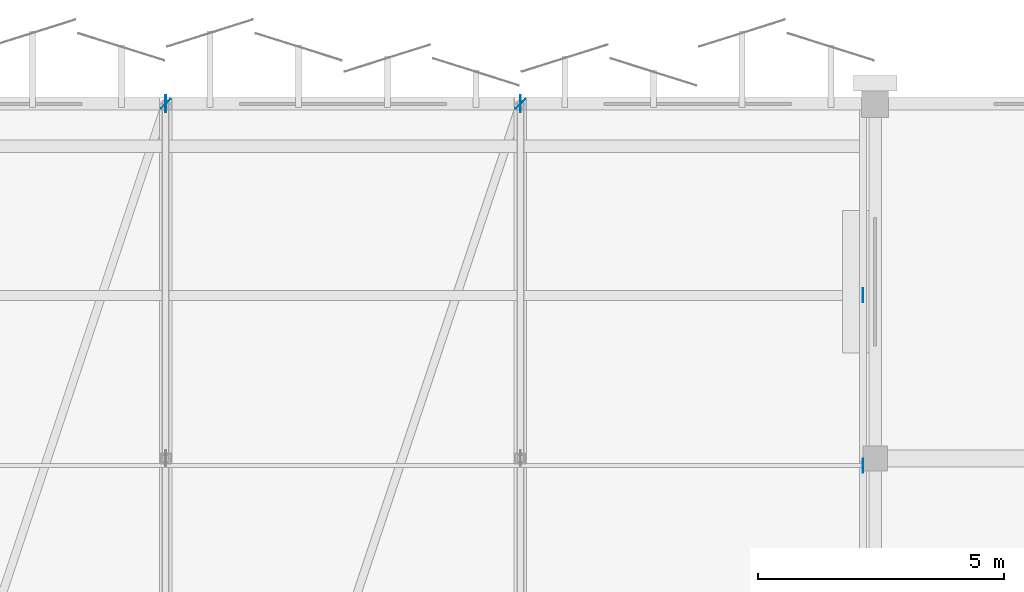
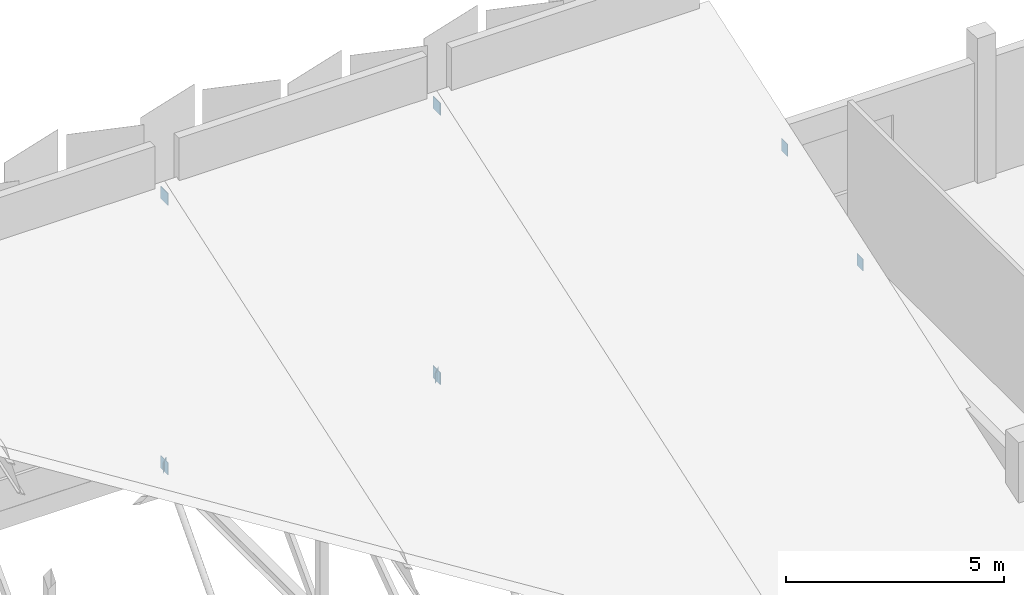
# One storey, part 38 of 59: 8 plates.
"""IFC4 building model written with IfcOpenShell, lengths in metres."""

from ifc_helpers import new_model, si_unit, direction, frame, origin, origin_2d, place, context, subcontext, project, spatial, rectangle, extrude, material, layer, layer_set, type_object, element, save


model = new_model("IFC4")

# Units and contexts
model_context = context("Model", 3, precision=1e-05, world=origin(), true_north=direction((0.0, 1.0)))
body_context = subcontext(model_context, "Body", "Model", "MODEL_VIEW")
ifc_project = project(units=[si_unit("LENGTHUNIT", "METRE"), si_unit("AREAUNIT", "SQUARE_METRE"), si_unit("VOLUMEUNIT", "CUBIC_METRE"), si_unit("PLANEANGLEUNIT", "RADIAN"), si_unit("MASSUNIT", "GRAM", prefix="KILO")], contexts=[model_context])

# Site, building, storey
site_placement = place(None, origin())
site = spatial("IfcSite", under=ifc_project, at=site_placement, CompositionType="ELEMENT")
building_placement = place(site_placement, origin())
building = spatial("IfcBuilding", under=site, at=building_placement, Name="Kangsadwip Square Police Headquarters", CompositionType="ELEMENT")
storey_placement = place(building_placement, frame((0.0, 0.0, 21.60009765625)))
storey = spatial("IfcBuildingStorey", under=building, at=storey_placement, Name="L05", CompositionType="ELEMENT", Elevation=21.60009765625)

# Plates
ifc_material_1 = material(Name="Structural steel IS 2062 E350 (Grade 350, 350 MPa)", Category="steel")
ifc_layer_1 = layer(ifc_material_1, 0.011962890625)
ifc_layer_set_1 = layer_set([ifc_layer_1], Name="Structural steel IS 2062 E350 (Grade 350, 350 MPa)")
plate_type_1 = type_object("IfcPlateType", Name="TrussEndCapPlate12", PredefinedType="USERDEFINED", material=ifc_layer_set_1)
for number, where, z_axis, x_axis, name in (
    (1, (129.60009765625, 115.199951171875, -0.68994140625), (0.0, 0.0, 1.0), (0.707106781187, 0.707106781187, 0.0), "Truss Node Gusset Plate GP-L05-0111"),
    (2, (136.800048828125, 115.199951171875, -0.68994140625), (0.0, 0.0, 1.0), (0.707106781187, 0.707106781187, 0.0), "Truss Node Gusset Plate GP-L05-0113"),
):
    element("IfcPlate", number, at=place(storey_placement, frame(where, z_axis=z_axis, x_axis=x_axis)), inside=storey, type_object=plate_type_1, Name=name, ObjectType="GUSSET_PLATE", PredefinedType="USERDEFINED", context=body_context, shape_type="SweptSolid", body=[
        extrude(rectangle(XDim=0.280029296875, YDim=0.011962890625, at=origin_2d()), origin(), (0.0, 0.0, 1.0), 0.280029296875),
    ])
for number, where, z_axis, x_axis, name in (
    (3, (143.756103515625, 107.85595703125, 4.4541015625), (0.0, 0.0, 1.0), (0.0, 1.0, 0.0), "Truss Node Gusset Plate GP-L05-0115"),
    (4, (143.756103515625, 111.31201171875, 5.56787109375), (0.0, 0.0, 1.0), (0.0, 1.0, 0.0), "Truss Node Gusset Plate GP-L05-0116"),
):
    element("IfcPlate", number, at=place(storey_placement, frame(where, z_axis=z_axis, x_axis=x_axis)), inside=storey, type_object=plate_type_1, Name=name, ObjectType="GUSSET_PLATE", PredefinedType="USERDEFINED", context=body_context, shape_type="SweptSolid", body=[
        extrude(rectangle(XDim=0.280029296875, YDim=0.011962890625, at=origin_2d()), origin(), (0.0, 0.0, 1.0), 0.340087890625),
    ])
ifc_material_2 = material(Name="Structural steel IS 2062 E350 (Grade 350, 350 MPa)", Category="steel")
ifc_layer_2 = layer(ifc_material_2, 0.01611328125)
ifc_layer_set_2 = layer_set([ifc_layer_2], Name="Structural steel IS 2062 E350 (Grade 350, 350 MPa)")
plate_type_2 = type_object("IfcPlateType", Name="TrussGussetPlate16", PredefinedType="USERDEFINED", material=ifc_layer_set_2)
for number, where, z_axis, x_axis, name in (
    (5, (129.60009765625, 115.199951171875, -0.72021484375), (0.0, 0.0, 1.0), (0.0, 1.0, 0.0), "Truss Node Gusset Plate GP-L05-0091"),
    (6, (129.60009765625, 115.199951171875, 6.81005859375), (0.0, 0.0, 1.0), (0.0, 1.0, 0.0), "Truss Node Gusset Plate GP-L05-0092"),
    (7, (136.800048828125, 115.199951171875, -0.72021484375), (0.0, 0.0, 1.0), (0.0, 1.0, 0.0), "Truss Node Gusset Plate GP-L05-0098"),
    (8, (136.800048828125, 115.199951171875, 6.81005859375), (0.0, 0.0, 1.0), (0.0, 1.0, 0.0), "Truss Node Gusset Plate GP-L05-0099"),
):
    element("IfcPlate", number, at=place(storey_placement, frame(where, z_axis=z_axis, x_axis=x_axis)), inside=storey, type_object=plate_type_2, Name=name, ObjectType="GUSSET_PLATE", PredefinedType="USERDEFINED", context=body_context, shape_type="SweptSolid", body=[
        extrude(rectangle(XDim=0.340087890625, YDim=0.01611328125, at=origin_2d()), origin(), (0.0, 0.0, 1.0), 0.340087890625),
    ])

save(model, "model.ifc")
